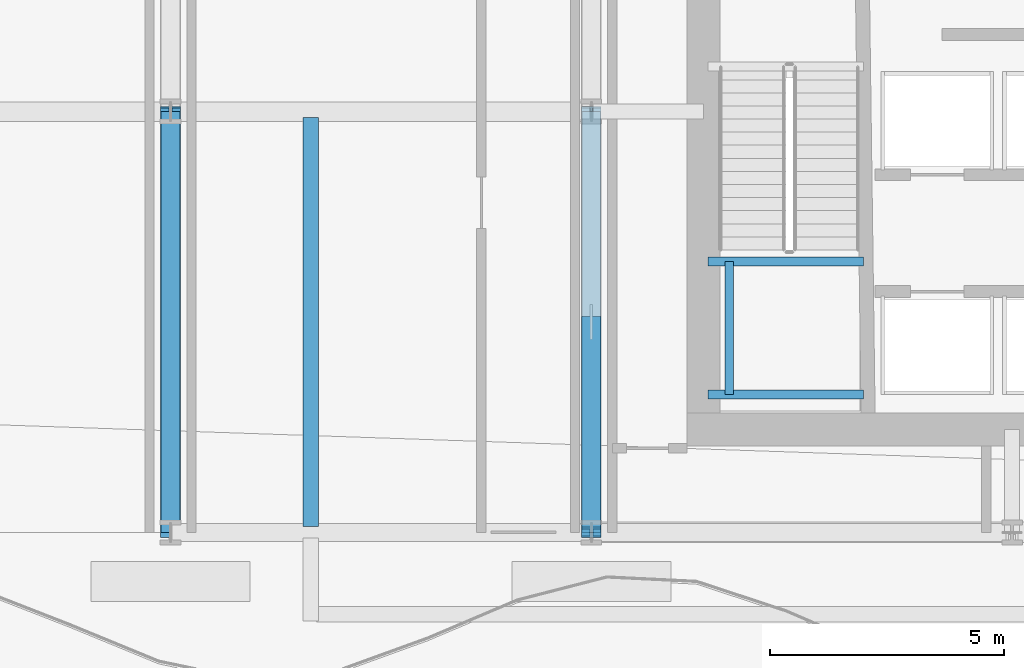
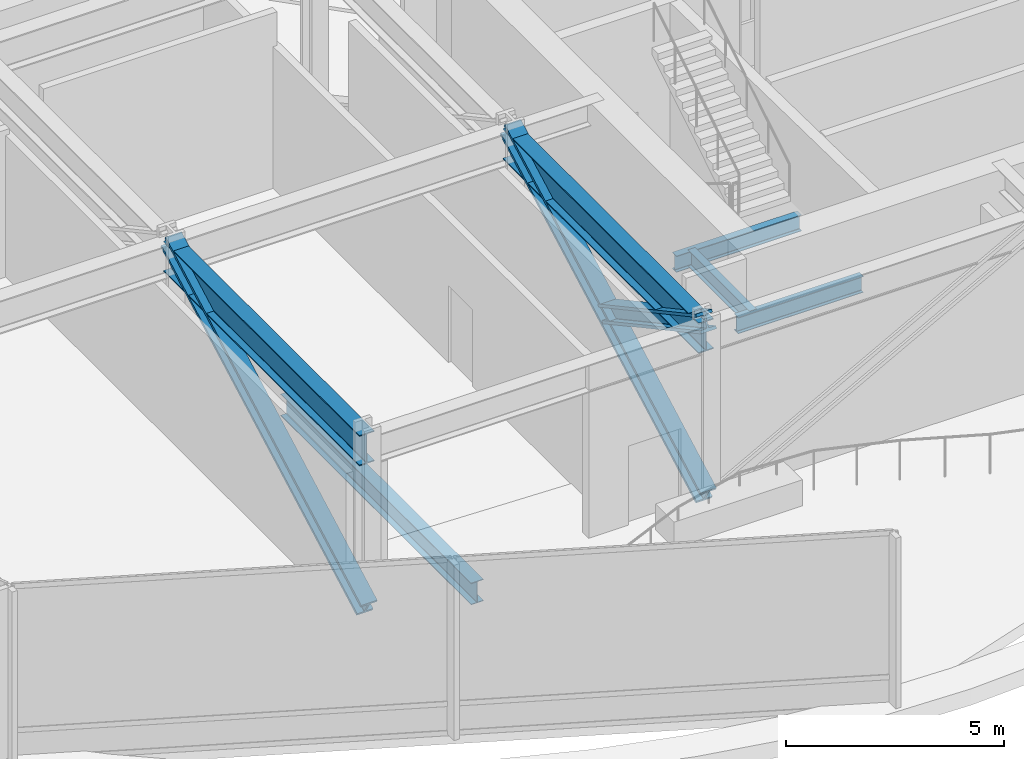
# One storey, part 4 of 37: 6 beams, 3 members.
"""IFC4 building model written with IfcOpenShell, lengths in metres."""

import ifcopenshell
import ifcopenshell.guid

model = None  # the IFC model being written
_history = None  # IfcOwnerHistory: only IFC2X3 demands one
_inside = {}  # id of a spatial element -> (the spatial element, [elements in it])
_under = {}  # id of a project, library or spatial element -> (it, [spatial elements below it])
_declared = {}  # id of a project -> (the project, [libraries it declares])
_typed = {}  # id of a type object -> (the type object, [elements of that type])
_made_of = {}  # id of a material, layer set ... -> (it, [elements and type objects made of it])


def new_model(schema):
    """Start an empty IFC model of exactly this schema.

    Asked for "IFC4X3", IfcOpenShell would pick the latest addendum, in which some entities
    have other attributes; the version numbers below select the first issue.
    IFC2X3 requires an IfcOwnerHistory on every rooted entity: one is made here for all.
    """
    global model, _history
    if schema == "IFC4X3":
        model = ifcopenshell.file(schema_version=(4, 3, 0, 0))
    else:
        model = ifcopenshell.file(schema=schema)
    _inside.clear()
    _under.clear()
    _declared.clear()
    _typed.clear()
    _made_of.clear()
    _history = None
    if model.schema == "IFC2X3":
        org = make("IfcOrganization", Name="unknown")
        user = make(
            "IfcPersonAndOrganization",
            ThePerson=make("IfcPerson", FamilyName="unknown"),
            TheOrganization=org,
        )
        app = make(
            "IfcApplication",
            ApplicationDeveloper=org,
            Version="unknown",
            ApplicationFullName="unknown",
            ApplicationIdentifier="unknown",
        )
        _history = make(
            "IfcOwnerHistory",
            OwningUser=user,
            OwningApplication=app,
            ChangeAction="ADDED",
            CreationDate=0,
        )
    return model


def make(cls, **values):
    """One entity of the class cls with the attributes given. An attribute that is None is left unset."""
    return model.create_entity(
        cls, **{name: value for name, value in values.items() if value is not None}
    )


def rooted(cls, **values):
    """An entity with a GlobalId (a new one), such as an element, a storey or a relation."""
    return make(cls, GlobalId=ifcopenshell.guid.new(), OwnerHistory=_history, **values)


def si_unit(unit_type, name, prefix=None):
    """IfcSIUnit, for example si_unit("LENGTHUNIT", "METRE", prefix="MILLI")."""
    return make("IfcSIUnit", UnitType=unit_type, Prefix=prefix, Name=name)


def assignment(units):
    """IfcUnitAssignment: the units of a project."""
    return None if units is None else make("IfcUnitAssignment", Units=units)


def point(xyz):
    """IfcCartesianPoint."""
    return None if xyz is None else make("IfcCartesianPoint", Coordinates=xyz)


def direction(xyz):
    """IfcDirection."""
    return None if xyz is None else make("IfcDirection", DirectionRatios=xyz)


def frame(location, z_axis=None, x_axis=None):
    """IfcAxis2Placement3D, a coordinate frame: its origin and axes. An axis left out is left unset."""
    return make(
        "IfcAxis2Placement3D",
        Location=point(location),
        Axis=direction(z_axis),
        RefDirection=direction(x_axis),
    )


def frame_2d(location, x_axis=None):
    """IfcAxis2Placement2D, a coordinate frame in the plane: its origin and x axis."""
    return make(
        "IfcAxis2Placement2D", Location=point(location), RefDirection=direction(x_axis)
    )


def origin():
    """The frame at (0, 0, 0) with its axes left unset."""
    return frame((0.0, 0.0, 0.0))


def origin_2d():
    """The frame at (0, 0) in the plane with its x axis left unset."""
    return frame_2d((0.0, 0.0))


def place(relative_to, where):
    """IfcLocalPlacement: puts the frame where relative to a parent placement (None: the world)."""
    return make(
        "IfcLocalPlacement", PlacementRelTo=relative_to, RelativePlacement=where
    )


def context(
    kind, dimensions, precision=None, world=None, true_north=None, identifier=None
):
    """IfcGeometricRepresentationContext, for example the 3D "Model" context."""
    return make(
        "IfcGeometricRepresentationContext",
        ContextIdentifier=identifier,
        ContextType=kind,
        CoordinateSpaceDimension=dimensions,
        Precision=precision,
        WorldCoordinateSystem=world,
        TrueNorth=true_north,
    )


def subcontext(parent, identifier, kind, view, scale=None):
    """IfcGeometricRepresentationSubContext, for example "Body" below "Model"."""
    return make(
        "IfcGeometricRepresentationSubContext",
        ContextIdentifier=identifier,
        ContextType=kind,
        ParentContext=parent,
        TargetScale=scale,
        TargetView=view,
    )


def project(units=None, contexts=None):
    """IfcProject with its units and contexts."""
    return rooted(
        "IfcProject",
        Name="project",
        RepresentationContexts=contexts,
        UnitsInContext=assignment(units),
    )


def spatial(cls, under=None, at=None, **own):
    """A site, building, storey or space (cls), placed at a placement, below another one or the project."""
    s = rooted(cls, ObjectPlacement=at, **own)
    if under is not None:
        _under.setdefault(under.id(), (under, []))[1].append(s)
    return s


def profile(cls, at=None, kind="AREA", **sizes):
    """A parametric profile (cls). Its sizes go by their IFC names, for example OverallWidth=200.0."""
    return make(cls, ProfileType=kind, Position=at, **sizes)


def i_section(**sizes):
    """IfcIShapeProfileDef."""
    return profile("IfcIShapeProfileDef", **sizes)


def extrude(swept, where, along, depth):
    """IfcExtrudedAreaSolid: the profile swept, set in the frame where, extruded along a direction by depth."""
    return make(
        "IfcExtrudedAreaSolid",
        SweptArea=swept,
        Position=where,
        ExtrudedDirection=direction(along),
        Depth=depth,
    )


def shape(context_of_items, identifier, shape_type, items):
    """IfcShapeRepresentation: the items that make up one representation, for example the "Body"."""
    return make(
        "IfcShapeRepresentation",
        ContextOfItems=context_of_items,
        RepresentationIdentifier=identifier,
        RepresentationType=shape_type,
        Items=items,
    )


def material(Name=None, Category=None):
    """IfcMaterial."""
    return make("IfcMaterial", Name=Name, Category=Category)


def material_profile(
    of_material, cross_section, Name=None, Category=None, Priority=None
):
    """IfcMaterialProfile: a cross section and its material."""
    return make(
        "IfcMaterialProfile",
        Name=Name,
        Material=of_material,
        Profile=cross_section,
        Priority=Priority,
        Category=Category,
    )


def profile_set(profiles, Name=None, composite=None):
    """IfcMaterialProfileSet."""
    return make(
        "IfcMaterialProfileSet",
        Name=Name,
        MaterialProfiles=profiles,
        CompositeProfile=composite,
    )


def made_of(thing, what):
    """Note that an element or type object is made of a material, layer set ...; save() writes the relation."""
    if what is not None:
        _made_of.setdefault(what.id(), (what, []))[1].append(thing)
    return thing


def type_object(cls, material=None, **own):
    """A type object (cls), such as IfcWallType, which elements share."""
    return made_of(rooted(cls, **own), material)


def element(
    cls,
    number,
    at=None,
    inside=None,
    cuts=None,
    type_object=None,
    material=None,
    context=None,
    identifier="Body",
    shape_type=None,
    held_by="IfcProductDefinitionShape",
    body=None,
    shapes=None,
    **own,
):
    """One element of the class cls, such as IfcWall. Its Tag is "e" and its number.

    at: its placement. inside: the storey or other place that contains it. cuts: it is an
    opening in that element (IfcRelVoidsElement). A single representation is given by context,
    identifier, shape_type and body (its items); several are given by shapes. held_by: the class
    of the entity that holds the representations. save() writes the other relations.
    """
    e = rooted(cls, Tag="e%d" % number, ObjectPlacement=at, **own)
    if body is not None:
        shapes = [shape(context, identifier, shape_type, body)]
    if shapes is not None:
        e.Representation = make(held_by, Representations=shapes)
    if inside is not None:
        _inside.setdefault(inside.id(), (inside, []))[1].append(e)
    if cuts is not None:
        rooted(
            "IfcRelVoidsElement", RelatingBuildingElement=cuts, RelatedOpeningElement=e
        )
    if type_object is not None:
        _typed.setdefault(type_object.id(), (type_object, []))[1].append(e)
    return made_of(e, material)


def aggregate(whole, parts):
    """IfcRelAggregates: a whole, such as a stair, and the parts it consists of."""
    return rooted("IfcRelAggregates", RelatingObject=whole, RelatedObjects=parts)


def save(model, path):
    """Write the relations noted so far, then the file.

    IfcRelAggregates (storeys below a building ...), IfcRelContainedInSpatialStructure (elements
    in a storey), IfcRelDefinesByType, IfcRelAssociatesMaterial and IfcRelDeclares: one each for
    every whole, place, type object, material and project.
    """
    for whole, parts in _under.values():
        aggregate(whole, parts)
    for where, things in _inside.values():
        rooted(
            "IfcRelContainedInSpatialStructure",
            RelatedElements=things,
            RelatingStructure=where,
        )
    for kind, things in _typed.values():
        rooted("IfcRelDefinesByType", RelatedObjects=things, RelatingType=kind)
    for what, things in _made_of.values():
        rooted("IfcRelAssociatesMaterial", RelatedObjects=things, RelatingMaterial=what)
    for by, libraries in _declared.values():
        rooted("IfcRelDeclares", RelatingContext=by, RelatedDefinitions=libraries)
    model.write(path)


model = new_model("IFC4")

# Units and contexts
model_context = context("Model", 3, precision=1e-05, world=origin(), true_north=direction((0.0, 1.0)))
body_context = subcontext(model_context, "Body", "Model", "MODEL_VIEW")
ifc_project = project(units=[si_unit("LENGTHUNIT", "METRE"), si_unit("AREAUNIT", "SQUARE_METRE"), si_unit("VOLUMEUNIT", "CUBIC_METRE"), si_unit("PLANEANGLEUNIT", "RADIAN"), si_unit("MASSUNIT", "GRAM", prefix="KILO")], contexts=[model_context])

# Site, building, storey
site_placement = place(None, origin())
site = spatial("IfcSite", under=ifc_project, at=site_placement, CompositionType="ELEMENT")
building_placement = place(site_placement, origin())
building = spatial("IfcBuilding", under=site, at=building_placement, Name="Solvaryn Broadcast Tower", CompositionType="ELEMENT")
storey_placement = place(building_placement, frame((0.0, 0.0, 30.800048828125)))
storey = spatial("IfcBuildingStorey", under=building, at=storey_placement, Name="L06", CompositionType="ELEMENT", Elevation=30.800048828125)

# Beams
ifc_material_1 = material(Name="Steel ASTM A992 Grade 50", Category="steel")
ifc_material_profile_1 = material_profile(ifc_material_1, i_section(OverallWidth=0.323974609375, OverallDepth=0.611083984375, WebThickness=0.0126953125, FlangeThickness=0.01904296875, FilletRadius=0.014892578125, at=origin_2d()))
ifc_profile_set_1 = profile_set([ifc_material_profile_1], Name="Steel ASTM A992 Grade 50")
beam_type_1 = type_object("IfcBeamType", Name="BM-B1-W24X104", PredefinedType="BEAM", material=ifc_profile_set_1)
beam_1_placement = place(storey_placement, frame((21.0, 17.875, -0.66552734375), z_axis=(0.0, -1.0, 0.0), x_axis=(1.0, 0.0, 0.0)))
element("IfcBeam", 1, at=beam_1_placement, inside=storey, type_object=beam_type_1, Name="L06 Terrace Back-Span Beam X21.0", PredefinedType="BEAM", context=body_context, shape_type="SweptSolid", body=[
    extrude(i_section(OverallWidth=0.323974609375, OverallDepth=0.611083984375, WebThickness=0.0126953125, FlangeThickness=0.01904296875, FilletRadius=0.014892578125, at=origin_2d()), origin(), (0.0, 0.0, 1.0), 8.75),
])
ifc_material_2 = material(Name="Steel ASTM A992 Grade 50", Category="steel")
ifc_material_profile_2 = material_profile(ifc_material_2, i_section(OverallWidth=0.18994140625, OverallDepth=0.45703125, WebThickness=0.009033203125, FlangeThickness=0.014404296875, FilletRadius=0.011962890625, at=origin_2d()))
ifc_profile_set_2 = profile_set([ifc_material_profile_2], Name="Steel ASTM A992 Grade 50")
beam_type_2 = type_object("IfcBeamType", Name="BM-B4-W18X50", PredefinedType="BEAM", material=ifc_profile_set_2)
for number, where, z_axis, x_axis, name in (
    (2, (29.5, 11.949951171875, 2.17138671875), (1.0, 0.0, 0.0), (0.0, 1.0, 0.0), "L06 ST3 Landing Support Beam 1A"),
    (3, (29.5, 14.7900390625, 2.17138671875), (1.0, 0.0, 0.0), (0.0, 1.0, 0.0), "L06 ST3 Landing Support Beam 1B"),
):
    element("IfcBeam", number, at=place(storey_placement, frame(where, z_axis=z_axis, x_axis=x_axis)), inside=storey, type_object=beam_type_2, Name=name, PredefinedType="BEAM", context=body_context, shape_type="SweptSolid", body=[
        extrude(i_section(OverallWidth=0.18994140625, OverallDepth=0.45703125, WebThickness=0.009033203125, FlangeThickness=0.014404296875, FilletRadius=0.011962890625, at=origin_2d()), origin(), (0.0, 0.0, 1.0), 3.320068359375),
    ])
beam_2_placement = place(storey_placement, frame((29.949951171875, 11.949951171875, 2.17138671875), z_axis=(0.0, 1.0, 0.0), x_axis=(-1.0, 0.0, 0.0)))
element("IfcBeam", 4, at=beam_2_placement, inside=storey, type_object=beam_type_2, Name="L06 ST3 Landing Cross Stringer 1C", PredefinedType="BEAM", context=body_context, shape_type="SweptSolid", body=[
    extrude(i_section(OverallWidth=0.18994140625, OverallDepth=0.45703125, WebThickness=0.009033203125, FlangeThickness=0.014404296875, FilletRadius=0.011962890625, at=origin_2d()), origin(), (0.0, 0.0, 1.0), 2.840087890625),
])
ifc_material_3 = material(Name="Steel ASTM A992 Grade 50", Category="steel")
ifc_material_profile_3 = material_profile(ifc_material_3, i_section(OverallWidth=0.39990234375, OverallDepth=0.85498046875, WebThickness=0.018310546875, FlangeThickness=0.029296875, FilletRadius=0.02001953125, at=origin_2d()))
ifc_profile_set_3 = profile_set([ifc_material_profile_3], Name="Steel ASTM A992 Grade 50")
beam_type_3 = type_object("IfcBeamType", Name="BM-G3-W33X201", PredefinedType="BEAM", material=ifc_profile_set_3)
for number, where, z_axis, x_axis, name in (
    (5, (18.0, 9.0, 4.492431640625), (0.0, 1.0, 0.0), (-1.0, 0.0, 0.0), "L06 Primary Beam Y (9-18 @ X=18)"),
    (6, (27.0, 9.0, 4.492431640625), (0.0, 1.0, 0.0), (-1.0, 0.0, 0.0), "L06 Primary Beam Y (9-18 @ X=27)"),
):
    element("IfcBeam", number, at=place(storey_placement, frame(where, z_axis=z_axis, x_axis=x_axis)), inside=storey, type_object=beam_type_3, Name=name, PredefinedType="BEAM", context=body_context, shape_type="SweptSolid", body=[
        extrude(i_section(OverallWidth=0.39990234375, OverallDepth=0.85498046875, WebThickness=0.018310546875, FlangeThickness=0.029296875, FilletRadius=0.02001953125, at=origin_2d()), origin(), (0.0, 0.0, 1.0), 9.0),
    ])

# Members
ifc_material_4 = material(Name="Steel ASTM A913 Grade 65", Category="steel")
ifc_material_profile_4 = material_profile(ifc_material_4, i_section(OverallWidth=0.424072265625, OverallDepth=0.47412109375, WebThickness=0.047607421875, FlangeThickness=0.0771484375, FilletRadius=0.014892578125, at=origin_2d()))
ifc_profile_set_4 = profile_set([ifc_material_profile_4], Name="Steel ASTM A913 Grade 65")
member_type = type_object("IfcMemberType", Name="MB-TRUSS-DIAG", PredefinedType="BRACE", material=ifc_profile_set_4)
for number, where, z_axis, x_axis, name in (
    (7, (18.0, 9.0, 0.02001953125), (0.0, 0.879092151416, 0.476651853367), (-1.0, 0.0, 0.0), "L06 Transfer Truss Diagonal 1"),
    (8, (27.0, 9.0, 0.02001953125), (0.0, 0.879092151416, 0.476651853367), (-1.0, 0.0, 0.0), "L06 Transfer Truss X-Bay 27 Continuous Diagonal"),
):
    element("IfcMember", number, at=place(storey_placement, frame(where, z_axis=z_axis, x_axis=x_axis)), inside=storey, type_object=member_type, Name=name, PredefinedType="BRACE", context=body_context, shape_type="SweptSolid", body=[
        extrude(i_section(OverallWidth=0.424072265625, OverallDepth=0.47412109375, WebThickness=0.047607421875, FlangeThickness=0.0771484375, FilletRadius=0.014892578125, at=origin_2d()), origin(), (0.0, 0.0, 1.0), 10.23779296875),
    ])
member_placement = place(storey_placement, frame((27.0, 9.0, 4.89990234375), z_axis=(0.0, 0.879092151416, -0.476651853367), x_axis=(-1.0, 0.0, 0.0)))
element("IfcMember", 9, at=member_placement, inside=storey, type_object=member_type, Name="L06 Transfer Truss X-Bay 27 Split Diagonal Lower", PredefinedType="BRACE", context=body_context, shape_type="SweptSolid", body=[
    extrude(i_section(OverallWidth=0.424072265625, OverallDepth=0.47412109375, WebThickness=0.047607421875, FlangeThickness=0.0771484375, FilletRadius=0.014892578125, at=origin_2d()), origin(), (0.0, 0.0, 1.0), 5.118896484375),
])

save(model, "model.ifc")
